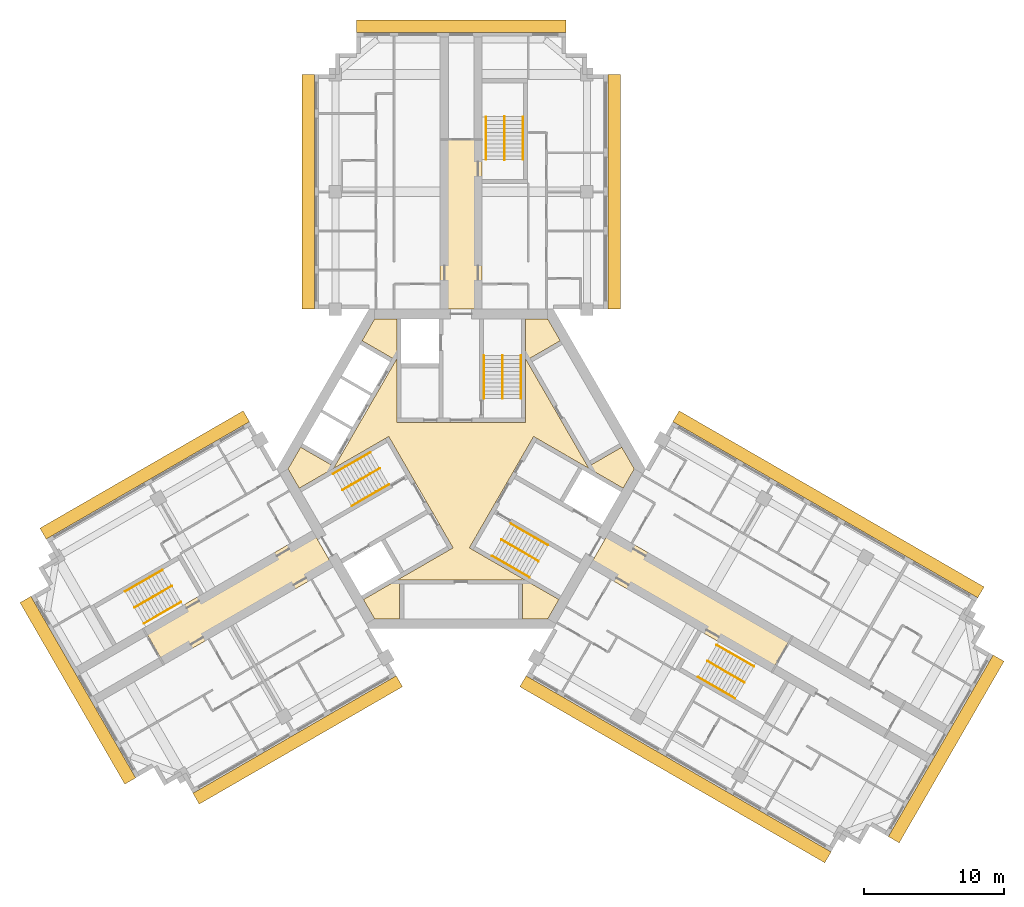
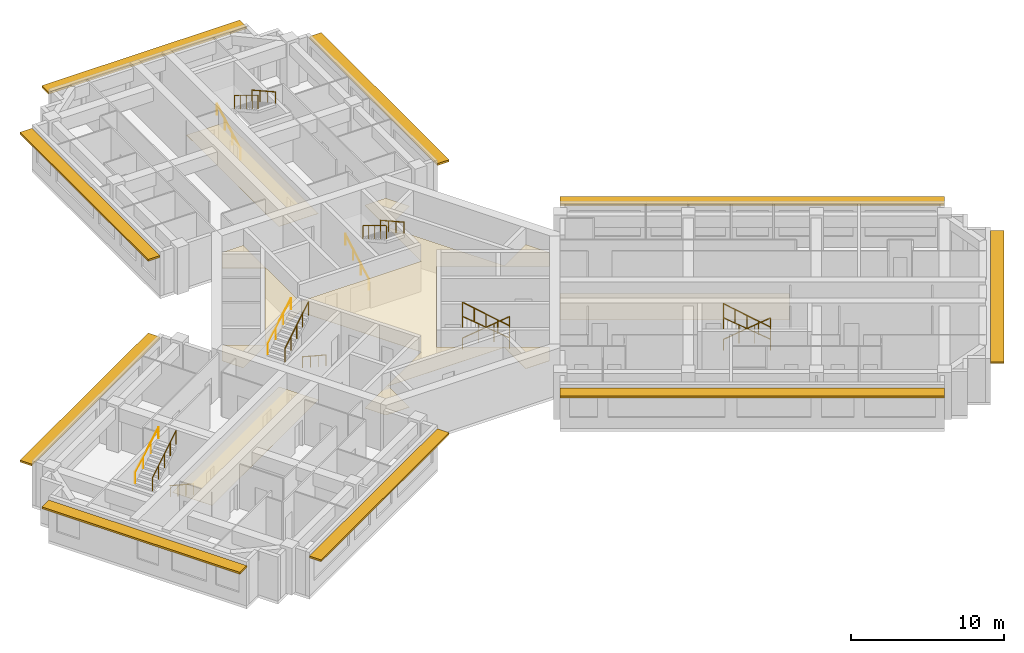
# One storey, part 10 of 10: 18 railings, 4 coverings, 3 shading devices.
"""IFC4 building model written with IfcOpenShell, lengths in metres."""

from ifc_helpers import new_model, si_unit, direction, frame, origin, origin_2d, place, context, subcontext, project, spatial, polyline, rectangle, circle, outline, extrude, material, layer, layer_set, type_object, element, save


model = new_model("IFC4")

# Units and contexts
model_context = context("Model", 3, precision=1e-05, world=origin(), true_north=direction((0.0, 1.0)))
body_context = subcontext(model_context, "Body", "Model", "MODEL_VIEW")
ifc_project = project(units=[si_unit("LENGTHUNIT", "METRE"), si_unit("AREAUNIT", "SQUARE_METRE"), si_unit("VOLUMEUNIT", "CUBIC_METRE"), si_unit("PLANEANGLEUNIT", "RADIAN"), si_unit("MASSUNIT", "GRAM", prefix="KILO")], contexts=[model_context])

# Site, building, storey
site_placement = place(None, origin())
site = spatial("IfcSite", under=ifc_project, at=site_placement, CompositionType="ELEMENT")
building_placement = place(site_placement, origin())
building = spatial("IfcBuilding", under=site, at=building_placement, Name="Impinga Residences", CompositionType="ELEMENT")
storey_placement = place(building_placement, frame((0.0, 0.0, 237.25)))
storey = spatial("IfcBuildingStorey", under=building, at=storey_placement, Name="L59", CompositionType="ELEMENT", Elevation=237.25)

# Coverings
ifc_material_1 = material(Name="Plasterboard 15 mm on steel hangers", Category="steel")
ifc_layer_1 = layer(ifc_material_1, 0.014892578125)
ifc_layer_set_1 = layer_set([ifc_layer_1], Name="Plasterboard 15 mm on steel hangers")
covering_type_1 = type_object("IfcCoveringType", Name="CL1 corridor ceiling, 15 mm plasterboard on hangers", PredefinedType="CEILING", material=ifc_layer_set_1)
covering_1_placement = place(storey_placement, frame((0.0, 0.0, 2.39990234375)))
element("IfcCovering", 1, at=covering_1_placement, inside=storey, type_object=covering_type_1, Name="Corridor ceiling CL1 L59-N00", PredefinedType="CEILING", context=body_context, shape_type="SweptSolid", body=[
    extrude(outline(polyline([(-1.5, 11.431640625), (1.5, 11.431640625), (1.5, 23.531494140625), (-1.5, 23.531494140625), (-1.5, 11.431640625)])), origin(), (0.0, 0.0, 1.0), 0.01513671875),
])
covering_2_placement = place(storey_placement, frame((0.0, 0.0, 2.39990234375)))
element("IfcCovering", 2, at=covering_2_placement, inside=storey, type_object=covering_type_1, Name="Corridor ceiling CL1 L59-W00", PredefinedType="CEILING", context=body_context, shape_type="SweptSolid", body=[
    extrude(outline(polyline([(-9.14990234375, -7.014892578125), (-10.64990234375, -4.416748046875), (-22.73095703125, -11.391845703125), (-21.23095703125, -13.98974609375), (-9.14990234375, -7.014892578125)])), origin(), (0.0, 0.0, 1.0), 0.01513671875),
])
covering_3_placement = place(storey_placement, frame((0.0, 0.0, 2.39990234375)))
element("IfcCovering", 3, at=covering_3_placement, inside=storey, type_object=covering_type_1, Name="Corridor ceiling CL1 L59-E00", PredefinedType="CEILING", context=body_context, shape_type="SweptSolid", body=[
    extrude(outline(polyline([(9.14990234375, -7.014892578125), (10.64990234375, -4.416748046875), (23.681396484375, -11.9404296875), (22.181396484375, -14.53857421875), (9.14990234375, -7.014892578125)])), origin(), (0.0, 0.0, 1.0), 0.01513671875),
])
ifc_material_2 = material(Name="Mineral fibre tiles 20 mm on exposed grid", Category="mineral fibre")
ifc_layer_2 = layer(ifc_material_2, 0.02001953125)
ifc_layer_set_2 = layer_set([ifc_layer_2], Name="CL2 lift lobby ceiling, 20 mm mineral fibre tiles")
covering_type_2 = type_object("IfcCoveringType", Name="CL2 lift lobby ceiling, 20 mm mineral fibre tiles", PredefinedType="CEILING", material=ifc_layer_set_2)
covering_4_placement = place(storey_placement, frame((0.0, 0.0, 2.39990234375)))
element("IfcCovering", 4, at=covering_4_placement, inside=storey, type_object=covering_type_2, Name="Lift lobby ceiling CL2 L59-C01", PredefinedType="CEILING", context=body_context, shape_type="SweptSolid", body=[
    extrude(outline(polyline([(12.3916015625, 0.0), (11.59375, -1.382080078125), (5.183837890625, 2.318603515625), (0.583984375, -5.648681640625), (6.993896484375, -9.349365234375), (6.19580078125, -10.7314453125), (4.39990234375, -10.7314453125), (4.39990234375, -7.931640625), (-4.39990234375, -7.931640625), (-4.39990234375, -10.7314453125), (-6.19580078125, -10.7314453125), (-6.993896484375, -9.349365234375), (-0.583984375, -5.648681640625), (-5.183837890625, 2.318603515625), (-11.59375, -1.382080078125), (-12.3916015625, 0.0), (-11.493896484375, 1.55517578125), (-9.06884765625, 0.1552734375), (-4.6689453125, 7.7763671875), (-7.09375, 9.17626953125), (-6.19580078125, 10.7314453125), (-4.60009765625, 10.7314453125), (-4.60009765625, 3.330078125), (4.60009765625, 3.330078125), (4.60009765625, 10.7314453125), (6.19580078125, 10.7314453125), (7.09375, 9.17626953125), (4.6689453125, 7.7763671875), (9.06884765625, 0.1552734375), (11.493896484375, 1.55517578125), (12.3916015625, 0.0)])), origin(), (0.0, 0.0, 1.0), 0.02001953125),
])

# Railings
ifc_material_3 = material(Name="Steel guard, powder coated", Category="steel")
railing_type_1 = type_object("IfcRailingType", Name="GR1 stair guard 1100", PredefinedType="GUARDRAIL", material=ifc_material_3)
railing_1_placement = place(storey_placement, frame((2.949951171875, 8.110107421875, 1.875)))
element("IfcRailing", 5, at=railing_1_placement, inside=storey, type_object=railing_type_1, Name="Stair guard GR1 ST1 L59", PredefinedType="GUARDRAIL", context=body_context, shape_type="SweptSolid", body=[
    extrude(circle(Radius=0.02392578125, at=origin_2d()), frame((0.0, 0.0, 1.076171875), z_axis=(0.0, -0.854177636135, 0.519981313056), x_axis=(1.0, 0.0, 0.0)), (0.0, 0.0, 1.0), 3.60595703125),
    extrude(circle(Radius=0.02099609375, at=origin_2d()), origin(), (0.0, 0.0, 1.0), 1.052001953125),
    extrude(circle(Radius=0.02099609375, at=origin_2d()), frame((0.0, -0.77001953125, 0.46875)), (0.0, 0.0, 1.0), 1.052001953125),
    extrude(circle(Radius=0.02099609375, at=origin_2d()), frame((0.0, -1.5400390625, 0.9375)), (0.0, 0.0, 1.0), 1.052001953125),
    extrude(circle(Radius=0.02099609375, at=origin_2d()), frame((0.0, -2.31005859375, 1.40625)), (0.0, 0.0, 1.0), 1.052001953125),
    extrude(circle(Radius=0.02099609375, at=origin_2d()), frame((0.0, -3.080078125, 1.875)), (0.0, 0.0, 1.0), 1.052001953125),
])
railing_2_placement = place(storey_placement, frame((-8.49853515625, -1.500244140625, 1.875)))
element("IfcRailing", 6, at=railing_2_placement, inside=storey, type_object=railing_type_1, Name="Stair guard GR1 ST2 L59", PredefinedType="GUARDRAIL", context=body_context, shape_type="SweptSolid", body=[
    extrude(circle(Radius=0.02392578125, at=origin_2d()), frame((0.0, 0.0, 1.076171875), z_axis=(0.739746383972, 0.427084037168, 0.519975492303), x_axis=(-0.499992328818, 0.866029832698, 0.0)), (0.0, 0.0, 1.0), 3.60595703125),
    extrude(circle(Radius=0.02099609375, at=origin_2d()), origin(), (0.0, 0.0, 1.0), 1.052001953125),
    extrude(circle(Radius=0.02099609375, at=origin_2d()), frame((0.6669921875, 0.385009765625, 0.46875)), (0.0, 0.0, 1.0), 1.052001953125),
    extrude(circle(Radius=0.02099609375, at=origin_2d()), frame((1.333740234375, 0.77001953125, 0.9375)), (0.0, 0.0, 1.0), 1.052001953125),
    extrude(circle(Radius=0.02099609375, at=origin_2d()), frame((2.00048828125, 1.155029296875, 1.40625)), (0.0, 0.0, 1.0), 1.052001953125),
    extrude(circle(Radius=0.02099609375, at=origin_2d()), frame((2.66748046875, 1.5400390625, 1.875)), (0.0, 0.0, 1.0), 1.052001953125),
])
railing_3_placement = place(storey_placement, frame((5.548583984375, -6.60986328125, 1.875)))
element("IfcRailing", 7, at=railing_3_placement, inside=storey, type_object=railing_type_1, Name="Stair guard GR1 ST3 L59", PredefinedType="GUARDRAIL", context=body_context, shape_type="SweptSolid", body=[
    extrude(circle(Radius=0.02392578125, at=origin_2d()), frame((0.0, 0.0, 1.076171875), z_axis=(-0.739746383972, 0.427084037168, 0.519975492303), x_axis=(-0.499992328818, -0.866029832698, 0.0)), (0.0, 0.0, 1.0), 3.60595703125),
    extrude(circle(Radius=0.02099609375, at=origin_2d()), origin(), (0.0, 0.0, 1.0), 1.052001953125),
    extrude(circle(Radius=0.02099609375, at=origin_2d()), frame((-0.6669921875, 0.385009765625, 0.46875)), (0.0, 0.0, 1.0), 1.052001953125),
    extrude(circle(Radius=0.02099609375, at=origin_2d()), frame((-1.333740234375, 0.77001953125, 0.9375)), (0.0, 0.0, 1.0), 1.052001953125),
    extrude(circle(Radius=0.02099609375, at=origin_2d()), frame((-2.00048828125, 1.155029296875, 1.40625)), (0.0, 0.0, 1.0), 1.052001953125),
    extrude(circle(Radius=0.02099609375, at=origin_2d()), frame((-2.66748046875, 1.5400390625, 1.875)), (0.0, 0.0, 1.0), 1.052001953125),
])
railing_4_placement = place(storey_placement, frame((3.10009765625, 25.21142578125, 1.875)))
element("IfcRailing", 8, at=railing_4_placement, inside=storey, type_object=railing_type_1, Name="Stair guard GR1 WS1 L59", PredefinedType="GUARDRAIL", context=body_context, shape_type="SweptSolid", body=[
    extrude(circle(Radius=0.02392578125, at=origin_2d()), frame((0.0, 0.0, 1.076171875), z_axis=(0.0, -0.854159328187, 0.520011386482), x_axis=(1.0, 0.0, 0.0)), (0.0, 0.0, 1.0), 3.605712890625),
    extrude(circle(Radius=0.02099609375, at=origin_2d()), origin(), (0.0, 0.0, 1.0), 1.052001953125),
    extrude(circle(Radius=0.02099609375, at=origin_2d()), frame((0.0, -0.77001953125, 0.46875)), (0.0, 0.0, 1.0), 1.052001953125),
    extrude(circle(Radius=0.02099609375, at=origin_2d()), frame((0.0, -1.5400390625, 0.9375)), (0.0, 0.0, 1.0), 1.052001953125),
    extrude(circle(Radius=0.02099609375, at=origin_2d()), frame((0.0, -2.309814453125, 1.40625)), (0.0, 0.0, 1.0), 1.052001953125),
    extrude(circle(Radius=0.02099609375, at=origin_2d()), frame((0.0, -3.079833984375, 1.875)), (0.0, 0.0, 1.0), 1.052001953125),
])
railing_5_placement = place(storey_placement, frame((-23.3837890625, -9.921142578125, 1.875)))
element("IfcRailing", 9, at=railing_5_placement, inside=storey, type_object=railing_type_1, Name="Stair guard GR1 WS2 L59", PredefinedType="GUARDRAIL", context=body_context, shape_type="SweptSolid", body=[
    extrude(circle(Radius=0.02392578125, at=origin_2d()), frame((0.0, 0.0, 1.076171875), z_axis=(0.739715726454, 0.427105428144, 0.52000153585), x_axis=(-0.500026652407, 0.866010015463, 0.0)), (0.0, 0.0, 1.0), 3.605712890625),
    extrude(circle(Radius=0.02099609375, at=origin_2d()), origin(), (0.0, 0.0, 1.0), 1.052001953125),
    extrude(circle(Radius=0.02099609375, at=origin_2d()), frame((0.666748046875, 0.385009765625, 0.46875)), (0.0, 0.0, 1.0), 1.052001953125),
    extrude(circle(Radius=0.02099609375, at=origin_2d()), frame((1.33349609375, 0.77001953125, 0.9375)), (0.0, 0.0, 1.0), 1.052001953125),
    extrude(circle(Radius=0.02099609375, at=origin_2d()), frame((2.00048828125, 1.155029296875, 1.40625)), (0.0, 0.0, 1.0), 1.052001953125),
    extrude(circle(Radius=0.02099609375, at=origin_2d()), frame((2.667236328125, 1.5400390625, 1.875)), (0.0, 0.0, 1.0), 1.052001953125),
])
railing_6_placement = place(storey_placement, frame((20.283935546875, -15.29052734375, 1.875)))
element("IfcRailing", 10, at=railing_6_placement, inside=storey, type_object=railing_type_1, Name="Stair guard GR1 WS3 L59", PredefinedType="GUARDRAIL", context=body_context, shape_type="SweptSolid", body=[
    extrude(circle(Radius=0.02392578125, at=origin_2d()), frame((0.0, 0.0, 1.076171875), z_axis=(-0.739746383972, 0.427084037168, 0.519975492303), x_axis=(-0.499992328818, -0.866029832698, 0.0)), (0.0, 0.0, 1.0), 3.60595703125),
    extrude(circle(Radius=0.02099609375, at=origin_2d()), origin(), (0.0, 0.0, 1.0), 1.052001953125),
    extrude(circle(Radius=0.02099609375, at=origin_2d()), frame((-0.6669921875, 0.385009765625, 0.46875)), (0.0, 0.0, 1.0), 1.052001953125),
    extrude(circle(Radius=0.02099609375, at=origin_2d()), frame((-1.333740234375, 0.77001953125, 0.9375)), (0.0, 0.0, 1.0), 1.052001953125),
    extrude(circle(Radius=0.02099609375, at=origin_2d()), frame((-2.00048828125, 1.155029296875, 1.40625)), (0.0, 0.0, 1.0), 1.052001953125),
    extrude(circle(Radius=0.02099609375, at=origin_2d()), frame((-2.66748046875, 1.5400390625, 1.875)), (0.0, 0.0, 1.0), 1.052001953125),
])
ifc_material_4 = material(Name="Steel handrail tube 42 mm, powder coated", Category="steel")
railing_type_2 = type_object("IfcRailingType", Name="HR1 stair handrail, 42 mm steel tube, 900 above the pitch line", PredefinedType="HANDRAIL", material=ifc_material_4)
railing_7_placement = place(storey_placement, frame((1.62109375, 5.030029296875, 0.15625)))
element("IfcRailing", 11, at=railing_7_placement, inside=storey, type_object=railing_type_2, Name="Stair handrail HR1 ST1 L59", PredefinedType="HANDRAIL", context=body_context, shape_type="SweptSolid", body=[
    extrude(circle(Radius=0.02099609375, at=origin_2d()), frame((0.0, 0.0, 0.87890625), z_axis=(0.0, 0.873241540666, 0.487287606713), x_axis=(-1.0, 0.0, 0.0)), (0.0, 0.0, 1.0), 3.527099609375),
    extrude(circle(Radius=0.012451171875, at=origin_2d()), origin(), (0.0, 0.0, 1.0), 0.85791015625),
    extrude(circle(Radius=0.012451171875, at=origin_2d()), frame((0.0, 1.026611328125, 0.572998046875)), (0.0, 0.0, 1.0), 0.85791015625),
    extrude(circle(Radius=0.012451171875, at=origin_2d()), frame((0.0, 2.053466796875, 1.145751953125)), (0.0, 0.0, 1.0), 0.85791015625),
    extrude(circle(Radius=0.012451171875, at=origin_2d()), frame((0.0, 3.080078125, 1.71875)), (0.0, 0.0, 1.0), 0.85791015625),
])
railing_8_placement = place(storey_placement, frame((4.279052734375, 8.110107421875, 2.03125)))
element("IfcRailing", 12, at=railing_8_placement, inside=storey, type_object=railing_type_2, Name="Stair handrail HR1 ST1 L59", PredefinedType="HANDRAIL", context=body_context, shape_type="SweptSolid", body=[
    extrude(circle(Radius=0.02099609375, at=origin_2d()), frame((0.0, 0.0, 0.87890625), z_axis=(0.0, -0.873241540666, 0.487287606713), x_axis=(1.0, 0.0, 0.0)), (0.0, 0.0, 1.0), 3.527099609375),
    extrude(circle(Radius=0.012451171875, at=origin_2d()), origin(), (0.0, 0.0, 1.0), 0.85791015625),
    extrude(circle(Radius=0.012451171875, at=origin_2d()), frame((0.0, -1.026611328125, 0.572998046875)), (0.0, 0.0, 1.0), 0.85791015625),
    extrude(circle(Radius=0.012451171875, at=origin_2d()), frame((0.0, -2.053466796875, 1.145751953125)), (0.0, 0.0, 1.0), 0.85791015625),
    extrude(circle(Radius=0.012451171875, at=origin_2d()), frame((0.0, -3.080078125, 1.71875)), (0.0, 0.0, 1.0), 0.85791015625),
])
railing_9_placement = place(storey_placement, frame((-5.16650390625, -1.111083984375, 0.15625)))
element("IfcRailing", 13, at=railing_9_placement, inside=storey, type_object=railing_type_2, Name="Stair handrail HR1 ST2 L59", PredefinedType="HANDRAIL", context=body_context, shape_type="SweptSolid", body=[
    extrude(circle(Radius=0.02099609375, at=origin_2d()), frame((0.0, 0.0, 0.87890625), z_axis=(-0.756255980417, -0.436615662133, 0.487281905742), x_axis=(0.499992328818, -0.866029832698, 0.0)), (0.0, 0.0, 1.0), 3.527099609375),
    extrude(circle(Radius=0.012451171875, at=origin_2d()), origin(), (0.0, 0.0, 1.0), 0.85791015625),
    extrude(circle(Radius=0.012451171875, at=origin_2d()), frame((-0.88916015625, -0.513427734375, 0.572998046875)), (0.0, 0.0, 1.0), 0.85791015625),
    extrude(circle(Radius=0.012451171875, at=origin_2d()), frame((-1.7783203125, -1.026611328125, 1.145751953125)), (0.0, 0.0, 1.0), 0.85791015625),
    extrude(circle(Radius=0.012451171875, at=origin_2d()), frame((-2.66748046875, -1.5400390625, 1.71875)), (0.0, 0.0, 1.0), 0.85791015625),
])
railing_10_placement = place(storey_placement, frame((-9.1630859375, -0.349365234375, 2.03125)))
element("IfcRailing", 14, at=railing_10_placement, inside=storey, type_object=railing_type_2, Name="Stair handrail HR1 ST2 L59", PredefinedType="HANDRAIL", context=body_context, shape_type="SweptSolid", body=[
    extrude(circle(Radius=0.02099609375, at=origin_2d()), frame((0.0, 0.0, 0.87890625), z_axis=(0.756255980417, 0.436615662133, 0.487281905742), x_axis=(-0.499992328818, 0.866029832698, 0.0)), (0.0, 0.0, 1.0), 3.527099609375),
    extrude(circle(Radius=0.012451171875, at=origin_2d()), origin(), (0.0, 0.0, 1.0), 0.85791015625),
    extrude(circle(Radius=0.012451171875, at=origin_2d()), frame((0.88916015625, 0.513427734375, 0.572998046875)), (0.0, 0.0, 1.0), 0.85791015625),
    extrude(circle(Radius=0.012451171875, at=origin_2d()), frame((1.7783203125, 1.026611328125, 1.145751953125)), (0.0, 0.0, 1.0), 0.85791015625),
    extrude(circle(Radius=0.012451171875, at=origin_2d()), frame((2.66748046875, 1.5400390625, 1.71875)), (0.0, 0.0, 1.0), 0.85791015625),
])
railing_11_placement = place(storey_placement, frame((3.545654296875, -3.9189453125, 0.15625)))
element("IfcRailing", 15, at=railing_11_placement, inside=storey, type_object=railing_type_2, Name="Stair handrail HR1 ST3 L59", PredefinedType="HANDRAIL", context=body_context, shape_type="SweptSolid", body=[
    extrude(circle(Radius=0.02099609375, at=origin_2d()), frame((0.0, 0.0, 0.87890625), z_axis=(0.756249203677, -0.436582492228, 0.487322141317), x_axis=(0.499967199496, 0.866044340336, 0.0)), (0.0, 0.0, 1.0), 3.52685546875),
    extrude(circle(Radius=0.012451171875, at=origin_2d()), origin(), (0.0, 0.0, 1.0), 0.85791015625),
    extrude(circle(Radius=0.012451171875, at=origin_2d()), frame((0.88916015625, -0.51318359375, 0.572998046875)), (0.0, 0.0, 1.0), 0.85791015625),
    extrude(circle(Radius=0.012451171875, at=origin_2d()), frame((1.778076171875, -1.026611328125, 1.145751953125)), (0.0, 0.0, 1.0), 0.85791015625),
    extrude(circle(Radius=0.012451171875, at=origin_2d()), frame((2.667236328125, -1.539794921875, 1.71875)), (0.0, 0.0, 1.0), 0.85791015625),
])
railing_12_placement = place(storey_placement, frame((4.884033203125, -7.7607421875, 2.03125)))
element("IfcRailing", 16, at=railing_12_placement, inside=storey, type_object=railing_type_2, Name="Stair handrail HR1 ST3 L59", PredefinedType="HANDRAIL", context=body_context, shape_type="SweptSolid", body=[
    extrude(circle(Radius=0.02099609375, at=origin_2d()), frame((0.0, 0.0, 0.87890625), z_axis=(-0.756255980417, 0.436615662133, 0.487281905742), x_axis=(-0.499992328818, -0.866029832698, 0.0)), (0.0, 0.0, 1.0), 3.527099609375),
    extrude(circle(Radius=0.012451171875, at=origin_2d()), origin(), (0.0, 0.0, 1.0), 0.85791015625),
    extrude(circle(Radius=0.012451171875, at=origin_2d()), frame((-0.88916015625, 0.513427734375, 0.572998046875)), (0.0, 0.0, 1.0), 0.85791015625),
    extrude(circle(Radius=0.012451171875, at=origin_2d()), frame((-1.7783203125, 1.026611328125, 1.145751953125)), (0.0, 0.0, 1.0), 0.85791015625),
    extrude(circle(Radius=0.012451171875, at=origin_2d()), frame((-2.66748046875, 1.5400390625, 1.71875)), (0.0, 0.0, 1.0), 0.85791015625),
])
railing_13_placement = place(storey_placement, frame((1.77099609375, 22.131591796875, 0.15625)))
element("IfcRailing", 17, at=railing_13_placement, inside=storey, type_object=railing_type_2, Name="Stair handrail HR1 WS1 L59", PredefinedType="HANDRAIL", context=body_context, shape_type="SweptSolid", body=[
    extrude(circle(Radius=0.02099609375, at=origin_2d()), frame((0.0, 0.0, 0.87890625), z_axis=(0.0, 0.873225103656, 0.487317061414), x_axis=(-1.0, 0.0, 0.0)), (0.0, 0.0, 1.0), 3.52685546875),
    extrude(circle(Radius=0.012451171875, at=origin_2d()), origin(), (0.0, 0.0, 1.0), 0.85791015625),
    extrude(circle(Radius=0.012451171875, at=origin_2d()), frame((0.0, 1.026611328125, 0.572998046875)), (0.0, 0.0, 1.0), 0.85791015625),
    extrude(circle(Radius=0.012451171875, at=origin_2d()), frame((0.0, 2.05322265625, 1.145751953125)), (0.0, 0.0, 1.0), 0.85791015625),
    extrude(circle(Radius=0.012451171875, at=origin_2d()), frame((0.0, 3.079833984375, 1.71875)), (0.0, 0.0, 1.0), 0.85791015625),
])
railing_14_placement = place(storey_placement, frame((4.428955078125, 25.21142578125, 2.03125)))
element("IfcRailing", 18, at=railing_14_placement, inside=storey, type_object=railing_type_2, Name="Stair handrail HR1 WS1 L59", PredefinedType="HANDRAIL", context=body_context, shape_type="SweptSolid", body=[
    extrude(circle(Radius=0.02099609375, at=origin_2d()), frame((0.0, 0.0, 0.87890625), z_axis=(0.0, -0.873225103656, 0.487317061414), x_axis=(1.0, 0.0, 0.0)), (0.0, 0.0, 1.0), 3.52685546875),
    extrude(circle(Radius=0.012451171875, at=origin_2d()), origin(), (0.0, 0.0, 1.0), 0.85791015625),
    extrude(circle(Radius=0.012451171875, at=origin_2d()), frame((0.0, -1.026611328125, 0.572998046875)), (0.0, 0.0, 1.0), 0.85791015625),
    extrude(circle(Radius=0.012451171875, at=origin_2d()), frame((0.0, -2.05322265625, 1.145751953125)), (0.0, 0.0, 1.0), 0.85791015625),
    extrude(circle(Radius=0.012451171875, at=origin_2d()), frame((0.0, -3.079833984375, 1.71875)), (0.0, 0.0, 1.0), 0.85791015625),
])
railing_15_placement = place(storey_placement, frame((-20.052001953125, -9.531982421875, 0.15625)))
element("IfcRailing", 19, at=railing_15_placement, inside=storey, type_object=railing_type_2, Name="Stair handrail HR1 WS2 L59", PredefinedType="HANDRAIL", context=body_context, shape_type="SweptSolid", body=[
    extrude(circle(Radius=0.02099609375, at=origin_2d()), frame((0.0, 0.0, 0.87890625), z_axis=(-0.756226348243, -0.436638517594, 0.487307413422), x_axis=(0.500026652407, -0.866010015463, 0.0)), (0.0, 0.0, 1.0), 3.527099609375),
    extrude(circle(Radius=0.012451171875, at=origin_2d()), origin(), (0.0, 0.0, 1.0), 0.85791015625),
    extrude(circle(Radius=0.012451171875, at=origin_2d()), frame((-0.88916015625, -0.513427734375, 0.572998046875)), (0.0, 0.0, 1.0), 0.85791015625),
    extrude(circle(Radius=0.012451171875, at=origin_2d()), frame((-1.778076171875, -1.026611328125, 1.145751953125)), (0.0, 0.0, 1.0), 0.85791015625),
    extrude(circle(Radius=0.012451171875, at=origin_2d()), frame((-2.667236328125, -1.5400390625, 1.71875)), (0.0, 0.0, 1.0), 0.85791015625),
])
railing_16_placement = place(storey_placement, frame((-24.04833984375, -8.77001953125, 2.03125)))
element("IfcRailing", 20, at=railing_16_placement, inside=storey, type_object=railing_type_2, Name="Stair handrail HR1 WS2 L59", PredefinedType="HANDRAIL", context=body_context, shape_type="SweptSolid", body=[
    extrude(circle(Radius=0.02099609375, at=origin_2d()), frame((0.0, 0.0, 0.87890625), z_axis=(0.756278834354, 0.436559638319, 0.487296631324), x_axis=(-0.499932877268, 0.866064153644, 0.0)), (0.0, 0.0, 1.0), 3.527099609375),
    extrude(circle(Radius=0.012451171875, at=origin_2d()), origin(), (0.0, 0.0, 1.0), 0.85791015625),
    extrude(circle(Radius=0.012451171875, at=origin_2d()), frame((0.88916015625, 0.51318359375, 0.572998046875)), (0.0, 0.0, 1.0), 0.85791015625),
    extrude(circle(Radius=0.012451171875, at=origin_2d()), frame((1.7783203125, 1.026611328125, 1.145751953125)), (0.0, 0.0, 1.0), 0.85791015625),
    extrude(circle(Radius=0.012451171875, at=origin_2d()), frame((2.66748046875, 1.539794921875, 1.71875)), (0.0, 0.0, 1.0), 0.85791015625),
])
railing_17_placement = place(storey_placement, frame((18.281005859375, -12.599609375, 0.15625)))
element("IfcRailing", 21, at=railing_17_placement, inside=storey, type_object=railing_type_2, Name="Stair handrail HR1 WS3 L59", PredefinedType="HANDRAIL", context=body_context, shape_type="SweptSolid", body=[
    extrude(circle(Radius=0.02099609375, at=origin_2d()), frame((0.0, 0.0, 0.87890625), z_axis=(0.756249203677, -0.436582492228, 0.487322141317), x_axis=(0.499967199496, 0.866044340336, 0.0)), (0.0, 0.0, 1.0), 3.52685546875),
    extrude(circle(Radius=0.012451171875, at=origin_2d()), origin(), (0.0, 0.0, 1.0), 0.85791015625),
    extrude(circle(Radius=0.012451171875, at=origin_2d()), frame((0.88916015625, -0.51318359375, 0.572998046875)), (0.0, 0.0, 1.0), 0.85791015625),
    extrude(circle(Radius=0.012451171875, at=origin_2d()), frame((1.778076171875, -1.026611328125, 1.145751953125)), (0.0, 0.0, 1.0), 0.85791015625),
    extrude(circle(Radius=0.012451171875, at=origin_2d()), frame((2.667236328125, -1.539794921875, 1.71875)), (0.0, 0.0, 1.0), 0.85791015625),
])
railing_18_placement = place(storey_placement, frame((19.619384765625, -16.44140625, 2.03125)))
element("IfcRailing", 22, at=railing_18_placement, inside=storey, type_object=railing_type_2, Name="Stair handrail HR1 WS3 L59", PredefinedType="HANDRAIL", context=body_context, shape_type="SweptSolid", body=[
    extrude(circle(Radius=0.02099609375, at=origin_2d()), frame((0.0, 0.0, 0.87890625), z_axis=(-0.756255980417, 0.436615662133, 0.487281905742), x_axis=(-0.499992328818, -0.866029832698, 0.0)), (0.0, 0.0, 1.0), 3.527099609375),
    extrude(circle(Radius=0.012451171875, at=origin_2d()), origin(), (0.0, 0.0, 1.0), 0.85791015625),
    extrude(circle(Radius=0.012451171875, at=origin_2d()), frame((-0.88916015625, 0.513427734375, 0.572998046875)), (0.0, 0.0, 1.0), 0.85791015625),
    extrude(circle(Radius=0.012451171875, at=origin_2d()), frame((-1.7783203125, 1.026611328125, 1.145751953125)), (0.0, 0.0, 1.0), 0.85791015625),
    extrude(circle(Radius=0.012451171875, at=origin_2d()), frame((-2.66748046875, 1.5400390625, 1.71875)), (0.0, 0.0, 1.0), 0.85791015625),
])

# Shading devices
ifc_material_5 = material(Name="Terracotta sunshade blades on aluminium brackets", Category="masonry")
ifc_layer_3 = layer(ifc_material_5, 0.14990234375)
ifc_layer_set_3 = layer_set([ifc_layer_3], Name="SS1 SUNSHADE terracotta sunshade band 900")
shading_device_type = type_object("IfcShadingDeviceType", Name="SS1 SUNSHADE terracotta sunshade band 900", PredefinedType="USERDEFINED", material=ifc_layer_set_3)
shading_device_1_placement = place(storey_placement, frame((-10.949951171875, 19.83154296875, 3.10009765625), z_axis=(0.0, 0.0, 1.0), x_axis=(0.0, 1.0, 0.0)))
element("IfcShadingDevice", 23, at=shading_device_1_placement, inside=storey, type_object=shading_device_type, Name="SUNSHADE band L59 NORTH WING", ObjectType="SUNSHADE", PredefinedType="USERDEFINED", context=body_context, shape_type="SweptSolid", body=[
    extrude(rectangle(XDim=16.800048828125, YDim=0.89990234375, at=origin_2d()), origin(), (0.0, 0.0, 1.0), 0.14990234375),
    extrude(rectangle(XDim=15.0, YDim=0.89990234375, at=origin_2d()), frame((11.85009765625, -10.949951171875, 0.0), z_axis=(0.0, 0.0, 1.0), x_axis=(0.0, -1.0, 0.0)), (0.0, 0.0, 1.0), 0.14990234375),
    extrude(rectangle(XDim=16.800048828125, YDim=0.89990234375, at=origin_2d()), frame((0.0, -21.89990234375, 0.0), z_axis=(0.0, 0.0, 1.0), x_axis=(-1.0, 0.0, 0.0)), (0.0, 0.0, 1.0), 0.14990234375),
])
shading_device_2_placement = place(storey_placement, frame((-11.69970703125, -19.398681640625, 3.10009765625), z_axis=(0.0, 0.0, 1.0), x_axis=(-0.866025403784, -0.5, 0.0)))
element("IfcShadingDevice", 24, at=shading_device_2_placement, inside=storey, type_object=shading_device_type, Name="SUNSHADE band L59 WEST WING", ObjectType="SUNSHADE", PredefinedType="USERDEFINED", context=body_context, shape_type="SweptSolid", body=[
    extrude(rectangle(XDim=16.800048828125, YDim=0.89990234375, at=origin_2d()), origin(), (0.0, 0.0, 1.0), 0.14990234375),
    extrude(rectangle(XDim=15.0, YDim=0.89990234375, at=origin_2d()), frame((11.849853515625, -10.949951171875, 0.0), z_axis=(0.0, 0.0, 1.0), x_axis=(0.0, -1.0, 0.0)), (0.0, 0.0, 1.0), 0.14990234375),
    extrude(rectangle(XDim=16.800048828125, YDim=0.89990234375, at=origin_2d()), frame((0.0, -21.89990234375, 0.0), z_axis=(0.0, 0.0, 1.0), x_axis=(-1.0, 0.0, 0.0)), (0.0, 0.0, 1.0), 0.14990234375),
])
shading_device_3_placement = place(storey_placement, frame((34.711669921875, -20.040771484375, 3.10009765625), z_axis=(0.0, 0.0, 1.0), x_axis=(-0.5, -0.866025403784, 0.0)))
element("IfcShadingDevice", 25, at=shading_device_3_placement, inside=storey, type_object=shading_device_type, Name="SUNSHADE band L59 EAST WING", ObjectType="SUNSHADE", PredefinedType="USERDEFINED", context=body_context, shape_type="SweptSolid", body=[
    extrude(rectangle(XDim=15.0, YDim=0.89990234375, at=origin_2d()), origin(), (0.0, 0.0, 1.0), 0.14990234375),
    extrude(rectangle(XDim=25.199951171875, YDim=0.89990234375, at=origin_2d()), frame((10.949951171875, -16.050048828125, 0.0), z_axis=(0.0, 0.0, 1.0), x_axis=(0.0, -1.0, 0.0)), (0.0, 0.0, 1.0), 0.14990234375),
    extrude(rectangle(XDim=25.199951171875, YDim=0.89990234375, at=origin_2d()), frame((-10.949951171875, -16.050048828125, 0.0), z_axis=(0.0, 0.0, 1.0), x_axis=(0.0, 1.0, 0.0)), (0.0, 0.0, 1.0), 0.14990234375),
])

save(model, "model.ifc")
